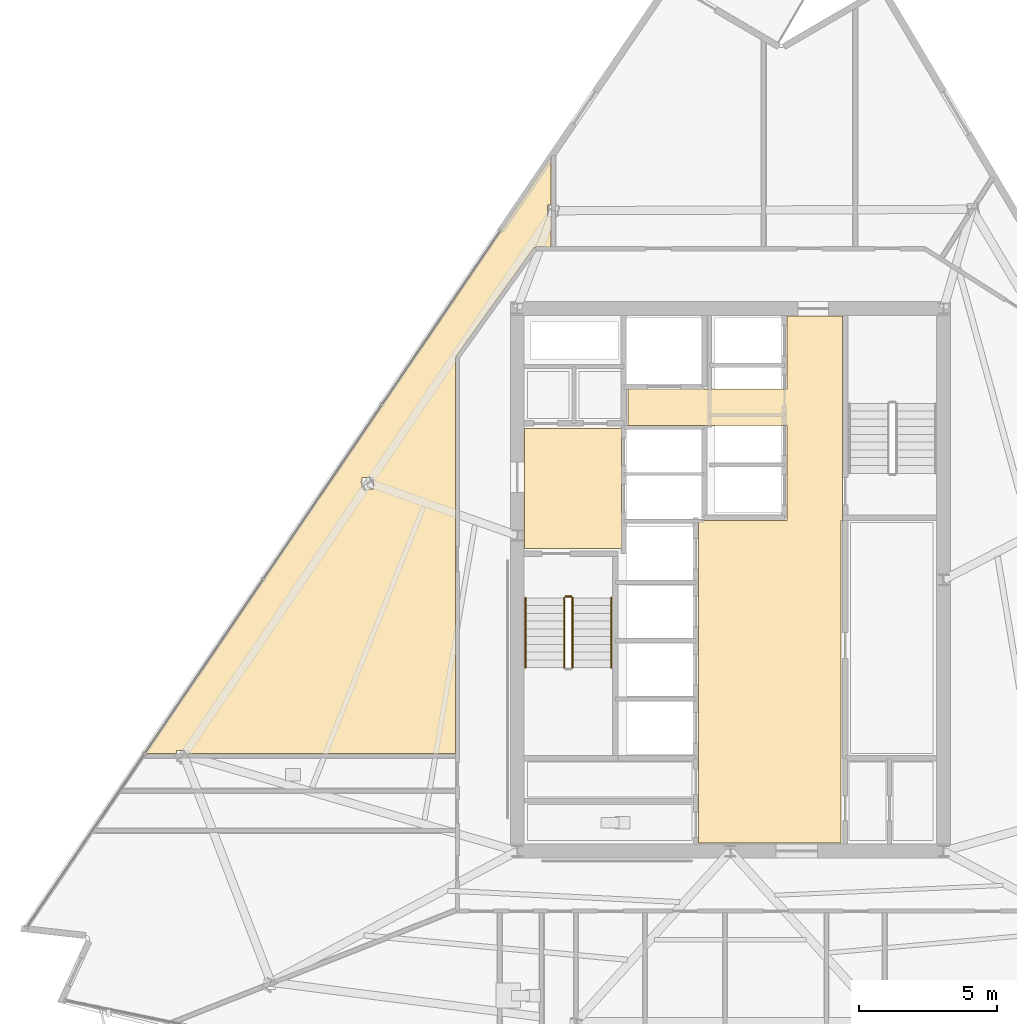
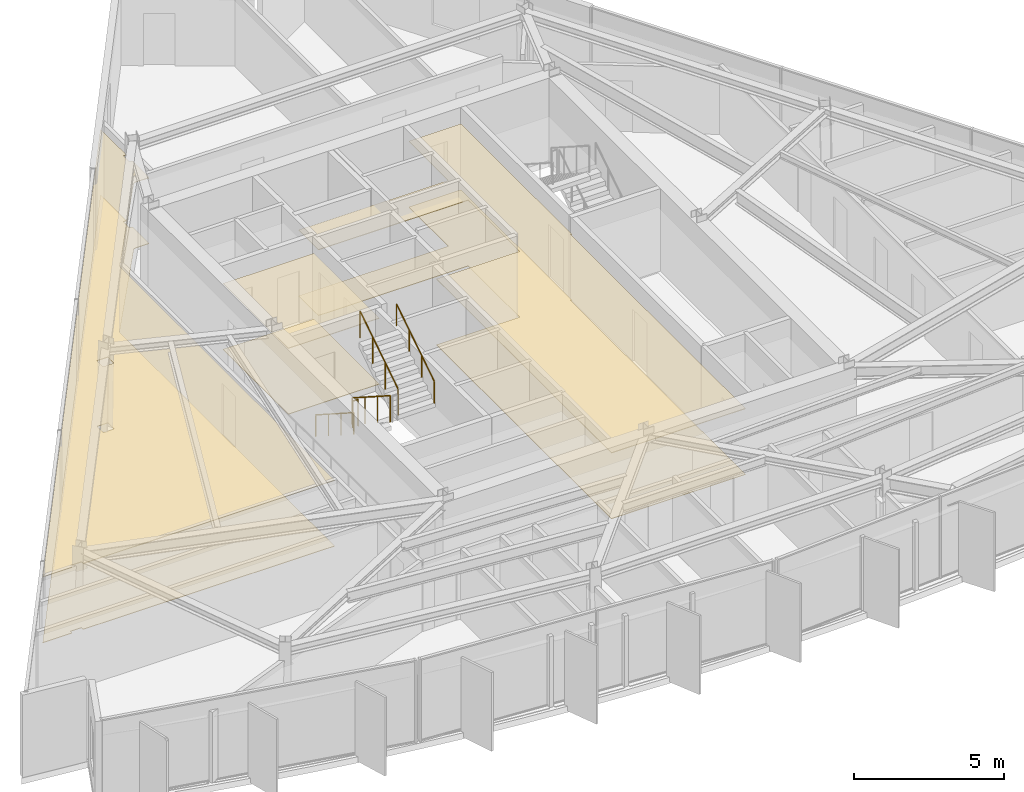
# One storey, part 12 of 15: 6 coverings, 5 railings.
"""IFC4 building model written with IfcOpenShell, lengths in metres."""

from ifc_helpers import new_model, si_unit, direction, frame, origin, origin_2d, place, context, subcontext, project, spatial, polyline, circle, outline, extrude, material, layer, layer_set, type_object, element, save


model = new_model("IFC4")

# Units and contexts
model_context = context("Model", 3, precision=1e-05, world=origin(), true_north=direction((0.0, 1.0)))
body_context = subcontext(model_context, "Body", "Model", "MODEL_VIEW")
ifc_project = project(units=[si_unit("LENGTHUNIT", "METRE"), si_unit("AREAUNIT", "SQUARE_METRE"), si_unit("VOLUMEUNIT", "CUBIC_METRE"), si_unit("PLANEANGLEUNIT", "RADIAN"), si_unit("MASSUNIT", "GRAM", prefix="KILO")], contexts=[model_context])

# Site, building, storey
site_placement = place(None, origin())
site = spatial("IfcSite", under=ifc_project, at=site_placement, CompositionType="ELEMENT")
building_placement = place(site_placement, origin())
building = spatial("IfcBuilding", under=site, at=building_placement, Name="Savorim Split Tower", CompositionType="ELEMENT")
storey_placement = place(building_placement, frame((0.0, 0.0, 212.699951171875)))
storey = spatial("IfcBuildingStorey", under=building, at=storey_placement, Name="L56", CompositionType="ELEMENT", Elevation=212.699951171875)

# Coverings
ifc_material_1 = material(Name="Mineral Fibre Acoustic Ceiling")
ifc_layer_1 = layer(ifc_material_1, 0.02490234375)
ifc_layer_set_1 = layer_set([ifc_layer_1], Name="COV-CEIL-25")
covering_type_1 = type_object("IfcCoveringType", Name="COV-CEIL-25", PredefinedType="CEILING", material=ifc_layer_set_1)
covering_1_placement = place(storey_placement, frame((0.0, 0.0, 2.670166015625)))
element("IfcCovering", 1, at=covering_1_placement, inside=storey, type_object=covering_type_1, Name="L56 Firefighting Lift Lobby Acoustic Ceiling", PredefinedType="CEILING", context=body_context, shape_type="SweptSolid", body=[
    extrude(outline(polyline([(-7.429931640625, 5.8701171875), (-7.429931640625, 1.530029296875), (-3.929931640625, 1.530029296875), (-3.929931640625, 5.8701171875), (-7.429931640625, 5.8701171875)])), origin(), (0.0, 0.0, 1.0), 0.02490234375),
])
covering_2_placement = place(storey_placement, frame((0.0, 0.0, 2.670166015625)))
element("IfcCovering", 2, at=covering_2_placement, inside=storey, type_object=covering_type_1, Name="L56 Lift Lobby Acoustic Ceiling", PredefinedType="CEILING", context=body_context, shape_type="SweptSolid", body=[
    extrude(outline(polyline([(2.050048828125, 2.550048828125), (-1.14990234375, 2.550048828125), (-1.14990234375, -9.10009765625), (4.0, -9.10009765625), (4.0, 2.550048828125), (4.050048828125, 2.550048828125), (4.050048828125, 5.97998046875), (4.050048828125, 7.300048828125), (4.050048828125, 9.929931640625), (2.050048828125, 9.929931640625), (2.050048828125, 7.300048828125), (-3.699951171875, 7.300048828125), (-3.699951171875, 5.97998046875), (2.050048828125, 5.97998046875), (2.050048828125, 2.550048828125)])), origin(), (0.0, 0.0, 1.0), 0.02490234375),
])
covering_3_placement = place(storey_placement, frame((0.0, 0.0, 2.670166015625)))
element("IfcCovering", 3, at=covering_3_placement, inside=storey, type_object=covering_type_1, Name="L56 Co-Working Commons Acoustic Ceiling", PredefinedType="CEILING", context=body_context, shape_type="SweptSolid", body=[
    extrude(outline(polyline([(-7.01318359375, 12.41943359375), (-7.0, 12.419921875), (-6.486328125, 12.419921875), (-6.486328125, 13.53564453125), (-6.600341796875, 13.53564453125), (-6.600341796875, 13.942626953125), (-6.486328125, 13.942626953125), (-6.486328125, 15.66796875), (-21.135986328125, -5.86669921875), (-20.00244140625, -5.86669921875), (-20.00244140625, -5.75830078125), (-19.58447265625, -5.75830078125), (-19.58447265625, -5.86669921875), (-9.919921875, -5.86669921875), (-9.919921875, 8.39990234375), (-9.919189453125, 8.41455078125), (-9.9169921875, 8.4287109375), (-9.913330078125, 8.44287109375), (-9.908203125, 8.456298828125), (-9.901611328125, 8.46923828125), (-9.893798828125, 8.4814453125), (-7.11376953125, 12.361572265625), (-7.105712890625, 12.3720703125), (-7.096435546875, 12.381591796875), (-7.086181640625, 12.39013671875), (-7.075439453125, 12.39794921875), (-7.06396484375, 12.404541015625), (-7.052001953125, 12.409912109375), (-7.039306640625, 12.414306640625), (-7.0263671875, 12.41748046875), (-7.01318359375, 12.41943359375)]), holes=[polyline([(-13.301513671875, 4.09228515625), (-13.301513671875, 3.685302734375), (-12.88330078125, 3.685302734375), (-12.88330078125, 4.09228515625), (-13.301513671875, 4.09228515625)])]), origin(), (0.0, 0.0, 1.0), 0.02490234375),
])
ifc_material_2 = material(Name="Porcelain Stoneware Flooring", Category="masonry")
ifc_layer_2 = layer(ifc_material_2, 0.02001953125)
ifc_layer_set_2 = layer_set([ifc_layer_2], Name="COV-FLOR-20")
covering_type_2 = type_object("IfcCoveringType", Name="COV-FLOR-20", PredefinedType="FLOORING", material=ifc_layer_set_2)
covering_4_placement = place(storey_placement, origin())
element("IfcCovering", 4, at=covering_4_placement, inside=storey, type_object=covering_type_2, Name="L56 Firefighting Lift Lobby Porcelain Flooring", PredefinedType="FLOORING", context=body_context, shape_type="SweptSolid", body=[
    extrude(outline(polyline([(-7.429931640625, 5.8701171875), (-7.429931640625, 1.530029296875), (-3.929931640625, 1.530029296875), (-3.929931640625, 5.8701171875), (-7.429931640625, 5.8701171875)])), origin(), (0.0, 0.0, 1.0), 0.02001953125),
])
covering_5_placement = place(storey_placement, origin())
element("IfcCovering", 5, at=covering_5_placement, inside=storey, type_object=covering_type_2, Name="L56 Lift Lobby Porcelain Flooring", PredefinedType="FLOORING", context=body_context, shape_type="SweptSolid", body=[
    extrude(outline(polyline([(2.050048828125, 2.550048828125), (-1.14990234375, 2.550048828125), (-1.14990234375, -9.10009765625), (4.0, -9.10009765625), (4.0, 2.550048828125), (4.050048828125, 2.550048828125), (4.050048828125, 5.97998046875), (4.050048828125, 7.300048828125), (4.050048828125, 9.929931640625), (2.050048828125, 9.929931640625), (2.050048828125, 7.300048828125), (-3.699951171875, 7.300048828125), (-3.699951171875, 5.97998046875), (2.050048828125, 5.97998046875), (2.050048828125, 2.550048828125)])), origin(), (0.0, 0.0, 1.0), 0.02001953125),
])
covering_6_placement = place(storey_placement, origin())
element("IfcCovering", 6, at=covering_6_placement, inside=storey, type_object=covering_type_2, Name="L56 Co-Working Commons Porcelain Flooring", PredefinedType="FLOORING", context=body_context, shape_type="SweptSolid", body=[
    extrude(outline(polyline([(-7.01318359375, 12.41943359375), (-7.0, 12.419921875), (-6.486328125, 12.419921875), (-6.486328125, 13.53564453125), (-6.600341796875, 13.53564453125), (-6.600341796875, 13.942626953125), (-6.486328125, 13.942626953125), (-6.486328125, 15.66796875), (-21.135986328125, -5.86669921875), (-20.00244140625, -5.86669921875), (-20.00244140625, -5.75830078125), (-19.58447265625, -5.75830078125), (-19.58447265625, -5.86669921875), (-9.919921875, -5.86669921875), (-9.919921875, 8.39990234375), (-9.919189453125, 8.41455078125), (-9.9169921875, 8.4287109375), (-9.913330078125, 8.44287109375), (-9.908203125, 8.456298828125), (-9.901611328125, 8.46923828125), (-9.893798828125, 8.4814453125), (-7.11376953125, 12.361572265625), (-7.105712890625, 12.3720703125), (-7.096435546875, 12.381591796875), (-7.086181640625, 12.39013671875), (-7.075439453125, 12.39794921875), (-7.06396484375, 12.404541015625), (-7.052001953125, 12.409912109375), (-7.039306640625, 12.414306640625), (-7.0263671875, 12.41748046875), (-7.01318359375, 12.41943359375)]), holes=[polyline([(-13.301513671875, 4.09228515625), (-13.301513671875, 3.685302734375), (-12.88330078125, 3.685302734375), (-12.88330078125, 4.09228515625), (-13.301513671875, 4.09228515625)])]), origin(), (0.0, 0.0, 1.0), 0.02001953125),
])

# Railings
ifc_material_3 = material(Name="Galvanised Painted Steel Balustrade", Category="steel")
railing_type_1 = type_object("IfcRailingType", Name="RLG-HR-900", PredefinedType="HANDRAIL", material=ifc_material_3)
railing_1_placement = place(storey_placement, frame((-7.39990234375, -0.25, 0.179931640625)))
element("IfcRailing", 7, at=railing_1_placement, inside=storey, type_object=railing_type_1, Name="L56 ST-1 stair handrail 1", PredefinedType="HANDRAIL", context=body_context, shape_type="SweptSolid", body=[
    extrude(circle(Radius=0.02392578125, at=origin_2d()), frame((0.0, 0.0, 0.8759765625), z_axis=(0.0, -0.841162588446, 0.540782303519), x_axis=(1.0, 0.0, 0.0)), (0.0, 0.0, 1.0), 2.995849609375),
    extrude(circle(Radius=0.02099609375, at=origin_2d()), origin(), (0.0, 0.0, 1.0), 0.851806640625),
    extrude(circle(Radius=0.02099609375, at=origin_2d()), frame((0.0, -0.840087890625, 0.5400390625)), (0.0, 0.0, 1.0), 0.851806640625),
    extrude(circle(Radius=0.02099609375, at=origin_2d()), frame((0.0, -1.679931640625, 1.080078125)), (0.0, 0.0, 1.0), 0.851806640625),
    extrude(circle(Radius=0.02099609375, at=origin_2d()), frame((0.0, -2.52001953125, 1.6201171875)), (0.0, 0.0, 1.0), 0.851806640625),
])
railing_2_placement = place(storey_placement, frame((-4.300048828125, -2.77001953125, 1.97998046875)))
element("IfcRailing", 8, at=railing_2_placement, inside=storey, type_object=railing_type_1, Name="L56 ST-1 stair handrail 2", PredefinedType="HANDRAIL", context=body_context, shape_type="SweptSolid", body=[
    extrude(circle(Radius=0.02392578125, at=origin_2d()), frame((0.0, 0.0, 0.8759765625), z_axis=(0.0, 0.841162588446, 0.540782303519), x_axis=(-1.0, 0.0, 0.0)), (0.0, 0.0, 1.0), 2.995849609375),
    extrude(circle(Radius=0.02099609375, at=origin_2d()), origin(), (0.0, 0.0, 1.0), 0.851806640625),
    extrude(circle(Radius=0.02099609375, at=origin_2d()), frame((0.0, 0.840087890625, 0.5400390625)), (0.0, 0.0, 1.0), 0.851806640625),
    extrude(circle(Radius=0.02099609375, at=origin_2d()), frame((0.0, 1.679931640625, 1.080078125)), (0.0, 0.0, 1.0), 0.851806640625),
    extrude(circle(Radius=0.02099609375, at=origin_2d()), frame((0.0, 2.52001953125, 1.6201171875)), (0.0, 0.0, 1.0), 0.851806640625),
])
railing_type_2 = type_object("IfcRailingType", Name="RLG-STG-1100", PredefinedType="BALUSTRADE", material=ifc_material_3)
railing_3_placement = place(storey_placement, frame((-6.0, -0.25, 0.179931640625)))
element("IfcRailing", 9, at=railing_3_placement, inside=storey, type_object=railing_type_2, Name="L56 ST-1 stair guard 1", PredefinedType="BALUSTRADE", context=body_context, shape_type="SweptSolid", body=[
    extrude(circle(Radius=0.02392578125, at=origin_2d()), frame((0.0, 0.0, 1.076171875), z_axis=(0.0, -0.841162588446, 0.540782303519), x_axis=(1.0, 0.0, 0.0)), (0.0, 0.0, 1.0), 2.995849609375),
    extrude(circle(Radius=0.02099609375, at=origin_2d()), origin(), (0.0, 0.0, 1.0), 1.052001953125),
    extrude(circle(Radius=0.02099609375, at=origin_2d()), frame((0.0, -0.840087890625, 0.5400390625)), (0.0, 0.0, 1.0), 1.052001953125),
    extrude(circle(Radius=0.02099609375, at=origin_2d()), frame((0.0, -1.679931640625, 1.080078125)), (0.0, 0.0, 1.0), 1.052001953125),
    extrude(circle(Radius=0.02099609375, at=origin_2d()), frame((0.0, -2.52001953125, 1.6201171875)), (0.0, 0.0, 1.0), 1.052001953125),
])
railing_4_placement = place(storey_placement, frame((-5.699951171875, -2.77001953125, 1.97998046875)))
element("IfcRailing", 10, at=railing_4_placement, inside=storey, type_object=railing_type_2, Name="L56 ST-1 stair guard 3", PredefinedType="BALUSTRADE", context=body_context, shape_type="SweptSolid", body=[
    extrude(circle(Radius=0.02392578125, at=origin_2d()), frame((0.0, 0.0, 1.076171875), z_axis=(0.0, 0.841162588446, 0.540782303519), x_axis=(-1.0, 0.0, 0.0)), (0.0, 0.0, 1.0), 2.995849609375),
    extrude(circle(Radius=0.02099609375, at=origin_2d()), origin(), (0.0, 0.0, 1.0), 1.052001953125),
    extrude(circle(Radius=0.02099609375, at=origin_2d()), frame((0.0, 0.840087890625, 0.5400390625)), (0.0, 0.0, 1.0), 1.052001953125),
    extrude(circle(Radius=0.02099609375, at=origin_2d()), frame((0.0, 1.679931640625, 1.080078125)), (0.0, 0.0, 1.0), 1.052001953125),
    extrude(circle(Radius=0.02099609375, at=origin_2d()), frame((0.0, 2.52001953125, 1.6201171875)), (0.0, 0.0, 1.0), 1.052001953125),
])
railing_5_placement = place(storey_placement, frame((-5.949951171875, -0.199951171875, 0.0)))
element("IfcRailing", 11, at=railing_5_placement, inside=storey, type_object=railing_type_2, Name="L56 ST-1 stair guard 4", PredefinedType="BALUSTRADE", context=body_context, shape_type="SweptSolid", body=[
    extrude(circle(Radius=0.02392578125, at=origin_2d()), frame((0.0, 0.0, 1.076171875), z_axis=(1.0, 0.0, 0.0), x_axis=(0.0, 1.0, 0.0)), (0.0, 0.0, 1.0), 0.199951171875),
    extrude(circle(Radius=0.02099609375, at=origin_2d()), origin(), (0.0, 0.0, 1.0), 1.052001953125),
    extrude(circle(Radius=0.02099609375, at=origin_2d()), frame((0.199951171875, 0.0, 0.0)), (0.0, 0.0, 1.0), 1.052001953125),
])

save(model, "model.ifc")
